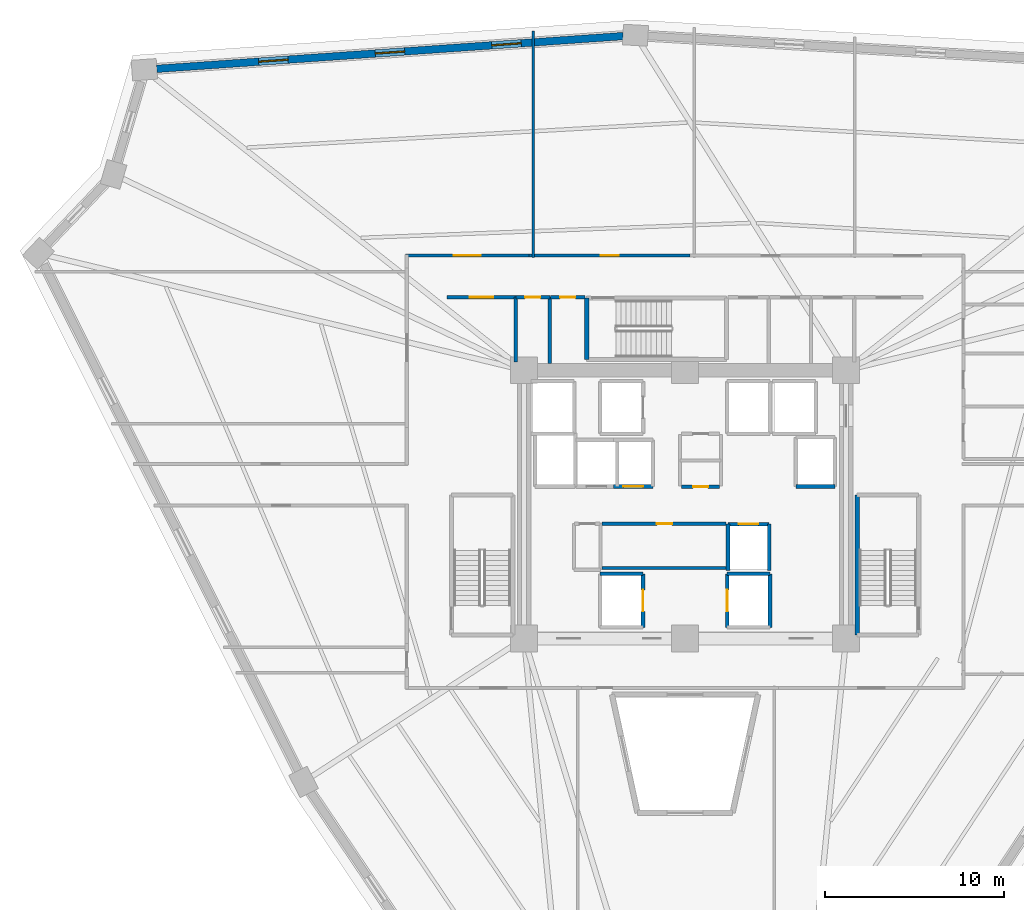
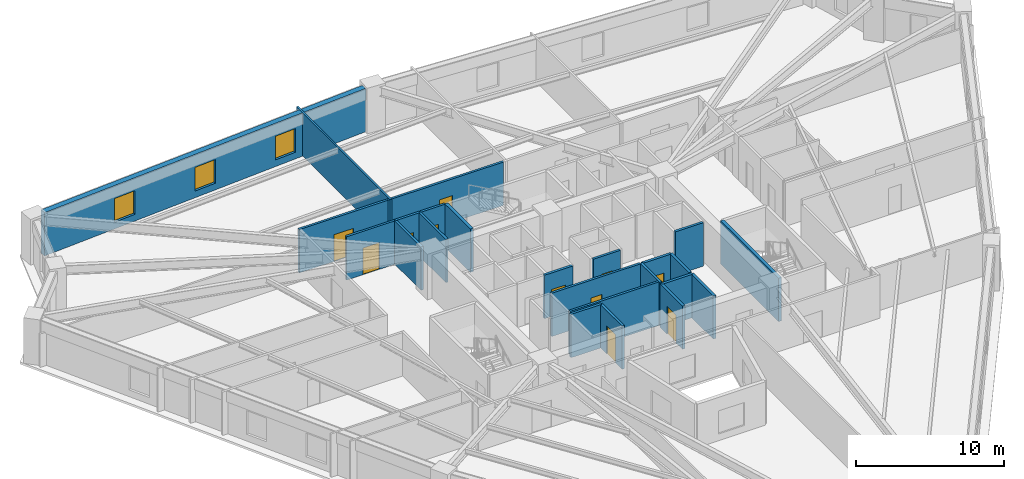
# One storey, part 5 of 9: 24 walls, 11 doors, 3 windows, 14 openings.
"""IFC4 building model written with IfcOpenShell, lengths in metres."""

from ifc_helpers import new_model, si_unit, direction, frame, frame_2d, origin, place, context, subcontext, project, spatial, rectangle, extrude, source, transform, mapped, material, layer, layer_set, type_object, element, fill, save


model = new_model("IFC4")

# Units and contexts
model_context = context("Model", 3, precision=1e-05, world=origin(), true_north=direction((0.0, 1.0)))
body_context = subcontext(model_context, "Body", "Model", "MODEL_VIEW")
ifc_project = project(units=[si_unit("LENGTHUNIT", "METRE"), si_unit("AREAUNIT", "SQUARE_METRE"), si_unit("VOLUMEUNIT", "CUBIC_METRE"), si_unit("PLANEANGLEUNIT", "RADIAN"), si_unit("MASSUNIT", "GRAM", prefix="KILO")], contexts=[model_context])

# Site, building, storey
site_placement = place(None, origin())
site = spatial("IfcSite", under=ifc_project, at=site_placement, CompositionType="ELEMENT")
building_placement = place(site_placement, origin())
building = spatial("IfcBuilding", under=site, at=building_placement, Name="Liaohun Quay Tower", CompositionType="ELEMENT")
storey_placement = place(building_placement, frame((0.0, 0.0, 128.25)))
storey = spatial("IfcBuildingStorey", under=building, at=storey_placement, Name="L33", CompositionType="ELEMENT", Elevation=128.25)

# Wall, openings, windows
ifc_material_1 = material(Name="Precast concrete C50 insulated sandwich", Category="concrete")
ifc_layer_1 = layer(ifc_material_1, 0.419921875, Name="Precast concrete C50 insulated sandwich", Category="concrete")
ifc_layer_set_1 = layer_set([ifc_layer_1], Name="Precast concrete C50 insulated sandwich")
wall_type_1 = type_object("IfcWallType", Name="WAL-EXT-Z12", PredefinedType="SOLIDWALL", material=ifc_layer_set_1)
wall_1_placement = place(storey_placement, frame((56.5380859375, 80.177978515625, 0.0), z_axis=(0.0, 0.0, 1.0), x_axis=(-0.997543510354, -0.070049589226, 0.0)))
wall_1 = element("IfcWall", 1, at=wall_1_placement, inside=storey, type_object=wall_type_1, Name="L33 Brutalist Precast Pier Wall 07", PredefinedType="SOLIDWALL", context=body_context, shape_type="SweptSolid", body=[
    extrude(rectangle(XDim=26.139404296875, YDim=0.419921875, at=frame_2d((13.06982421875, 0.0))), origin(), (0.0, 0.0, 1.0), 3.570068359375),
])
shared_shape_1 = source(origin(), body_context, "Body", "SweptSolid", [
    extrude(rectangle(XDim=1.64990234375, YDim=1.949951171875, at=frame_2d((0.824951171875, 0.97509765625))), frame((0.0, 0.219970703125, 0.0), z_axis=(0.0, -1.0, 0.0), x_axis=(1.0, 0.0, 0.0)), (0.0, 0.0, 1.0), 0.43994140625),
])
opening_1_placement = place(wall_1_placement, frame((5.7099609375, 0.0, 0.550048828125)))
opening_1 = element("IfcOpeningElement", 2, at=opening_1_placement, cuts=wall_1, Name="Opening W02", PredefinedType="OPENING", context=body_context, shape_type="MappedRepresentation", body=[
    mapped(shared_shape_1, transform((0.0, 0.0, 0.0), x_axis=(1.0, 0.0, 0.0), y_axis=(0.0, 1.0, 0.0), z_axis=(0.0, 0.0, 1.0), scale=1.0)),
])
opening_2_placement = place(wall_1_placement, frame((12.2451171875, 0.0, 0.550048828125)))
opening_2 = element("IfcOpeningElement", 3, at=opening_2_placement, cuts=wall_1, Name="Opening W02", PredefinedType="OPENING", context=body_context, shape_type="MappedRepresentation", body=[
    mapped(shared_shape_1, transform((0.0, 0.0, 0.0), x_axis=(1.0, 0.0, 0.0), y_axis=(0.0, 1.0, 0.0), z_axis=(0.0, 0.0, 1.0), scale=1.0)),
])
opening_3_placement = place(wall_1_placement, frame((18.779052734375, 0.0, 0.550048828125)))
opening_3 = element("IfcOpeningElement", 4, at=opening_3_placement, cuts=wall_1, Name="Opening W02", PredefinedType="OPENING", context=body_context, shape_type="MappedRepresentation", body=[
    mapped(shared_shape_1, transform((0.0, 0.0, 0.0), x_axis=(1.0, 0.0, 0.0), y_axis=(0.0, 1.0, 0.0), z_axis=(0.0, 0.0, 1.0), scale=1.0)),
])
ifc_material_2 = material(Name="Triple Low-E argon glazing in thermally broken aluminium", Category="aluminium")
window_type = type_object("IfcWindowType", Name="WIN-PUN-Z2", PartitioningType="DOUBLE_PANEL_VERTICAL", PredefinedType="WINDOW", material=ifc_material_2)
shared_shape_2 = source(origin(), body_context, "Body", "SweptSolid", [
    extrude(rectangle(XDim=1.64990234375, YDim=1.949951171875, at=frame_2d((0.824951171875, 0.97509765625))), frame((0.0, 0.030029296875, 0.0), z_axis=(0.0, -1.0, 0.0), x_axis=(1.0, 0.0, 0.0)), (0.0, 0.0, 1.0), 0.06005859375),
])
window_1_placement = place(opening_1_placement, origin())
window_1 = element("IfcWindow", 5, at=window_1_placement, inside=storey, type_object=window_type, Name="L33 Recessed Cold-Climate Punched Window 07-1", OverallHeight=1.949951171875, OverallWidth=1.64990234375, PartitioningType="DOUBLE_PANEL_VERTICAL", PredefinedType="WINDOW", context=body_context, shape_type="MappedRepresentation", body=[
    mapped(shared_shape_2, transform((0.0, 0.0, 0.0), x_axis=(1.0, 0.0, 0.0), y_axis=(0.0, 1.0, 0.0), z_axis=(0.0, 0.0, 1.0), scale=1.0)),
])
fill(opening_1, window_1)
window_2_placement = place(opening_2_placement, origin())
window_2 = element("IfcWindow", 6, at=window_2_placement, inside=storey, type_object=window_type, Name="L33 Recessed Cold-Climate Punched Window 07-2", OverallHeight=1.949951171875, OverallWidth=1.64990234375, PartitioningType="DOUBLE_PANEL_VERTICAL", PredefinedType="WINDOW", context=body_context, shape_type="MappedRepresentation", body=[
    mapped(shared_shape_2, transform((0.0, 0.0, 0.0), x_axis=(1.0, 0.0, 0.0), y_axis=(0.0, 1.0, 0.0), z_axis=(0.0, 0.0, 1.0), scale=1.0)),
])
fill(opening_2, window_2)
window_3_placement = place(opening_3_placement, origin())
window_3 = element("IfcWindow", 7, at=window_3_placement, inside=storey, type_object=window_type, Name="L33 Recessed Cold-Climate Punched Window 07-3", OverallHeight=1.949951171875, OverallWidth=1.64990234375, PartitioningType="DOUBLE_PANEL_VERTICAL", PredefinedType="WINDOW", context=body_context, shape_type="MappedRepresentation", body=[
    mapped(shared_shape_2, transform((0.0, 0.0, 0.0), x_axis=(1.0, 0.0, 0.0), y_axis=(0.0, 1.0, 0.0), z_axis=(0.0, 0.0, 1.0), scale=1.0)),
])
fill(opening_3, window_3)

# Wall, opening, door
ifc_material_3 = material(Name="Autoclaved aerated concrete blockwork", Category="masonry")
ifc_layer_2 = layer(ifc_material_3, 0.179931640625, Name="Autoclaved aerated concrete blockwork", Category="masonry")
ifc_layer_set_2 = layer_set([ifc_layer_2], Name="Autoclaved aerated concrete blockwork")
wall_type_2 = type_object("IfcWallType", Name="WAL-PRT-COR", PredefinedType="PARTITIONING", material=ifc_layer_set_2)
wall_2_placement = place(storey_placement, frame((55.3701171875, 52.919921875, 0.0), z_axis=(0.0, 0.0, 1.0), x_axis=(1.0, 0.0, 0.0)))
wall_2 = element("IfcWall", 8, at=wall_2_placement, inside=storey, type_object=wall_type_2, Name="L33 Interior Partition Wall 001", PredefinedType="PARTITIONING", context=body_context, shape_type="SweptSolid", body=[
    extrude(rectangle(XDim=6.929931640625, YDim=0.179931640625, at=frame_2d((3.46484375, 0.0))), origin(), (0.0, 0.0, 1.0), 3.570068359375),
])
shared_shape_3 = source(origin(), body_context, "Body", "SweptSolid", [
    extrude(rectangle(XDim=0.85009765625, YDim=2.10009765625, at=frame_2d((0.425048828125, 1.050048828125))), frame((0.0, 0.099853515625, 0.0), z_axis=(0.0, -1.0, 0.0), x_axis=(1.0, 0.0, 0.0)), (0.0, 0.0, 1.0), 0.199951171875),
])
opening_4_placement = place(wall_2_placement, frame((3.054931640625, 0.0, 0.0)))
opening_4 = element("IfcOpeningElement", 9, at=opening_4_placement, cuts=wall_2, Name="Opening AD1", PredefinedType="OPENING", context=body_context, shape_type="MappedRepresentation", body=[
    mapped(shared_shape_3, transform((0.0, 0.0, 0.0), x_axis=(1.0, 0.0, 0.0), y_axis=(0.0, 1.0, 0.0), z_axis=(0.0, 0.0, 1.0), scale=1.0)),
])
ifc_material_4 = material(Name="Steel riser inspection fire door", Category="steel")
door_type_1 = type_object("IfcDoorType", Name="DOR-SHF-850", OperationType="NOTDEFINED", PredefinedType="DOOR", material=ifc_material_4)
shared_shape_4 = source(origin(), body_context, "Body", "SweptSolid", [
    extrude(rectangle(XDim=0.85009765625, YDim=2.10009765625, at=frame_2d((0.425048828125, 1.050048828125))), frame((0.0, 0.02490234375, 0.0), z_axis=(0.0, -1.0, 0.0), x_axis=(1.0, 0.0, 0.0)), (0.0, 0.0, 1.0), 0.050048828125),
])
door_1_placement = place(opening_4_placement, origin())
door_1 = element("IfcDoor", 10, at=door_1_placement, inside=storey, type_object=door_type_1, Name="L33 Core Tenant Storage and Archive Room Door", OperationType="SINGLE_SWING_LEFT", OverallHeight=2.10009765625, OverallWidth=0.85009765625, PredefinedType="DOOR", context=body_context, shape_type="MappedRepresentation", body=[
    mapped(shared_shape_4, transform((0.0, 0.0, 0.0), x_axis=(1.0, 0.0, 0.0), y_axis=(0.0, 1.0, 0.0), z_axis=(0.0, 0.0, 1.0), scale=1.0)),
])
fill(opening_4, door_1)

wall_3_placement = place(storey_placement, frame((59.81005859375, 54.97998046875, 0.0), z_axis=(0.0, 0.0, 1.0), x_axis=(1.0, 0.0, 0.0)))
wall_3 = element("IfcWall", 11, at=wall_3_placement, inside=storey, type_object=wall_type_2, Name="L33 Interior Partition Wall 002", PredefinedType="PARTITIONING", context=body_context, shape_type="SweptSolid", body=[
    extrude(rectangle(XDim=2.10986328125, YDim=0.179931640625, at=frame_2d((1.054931640625, 0.0))), origin(), (0.0, 0.0, 1.0), 3.570068359375),
])
opening_5_placement = place(wall_3_placement, frame((0.635009765625, 0.0, 0.0)))
opening_5 = element("IfcOpeningElement", 12, at=opening_5_placement, cuts=wall_3, Name="Opening AD1", PredefinedType="OPENING", context=body_context, shape_type="MappedRepresentation", body=[
    mapped(shared_shape_3, transform((0.0, 0.0, 0.0), x_axis=(1.0, 0.0, 0.0), y_axis=(0.0, 1.0, 0.0), z_axis=(0.0, 0.0, 1.0), scale=1.0)),
])
door_2_placement = place(opening_5_placement, origin())
door_2 = element("IfcDoor", 13, at=door_2_placement, inside=storey, type_object=door_type_1, Name="L33 Electrical Riser Room Door", OperationType="SINGLE_SWING_RIGHT", OverallHeight=2.10009765625, OverallWidth=0.85009765625, PredefinedType="DOOR", context=body_context, shape_type="MappedRepresentation", body=[
    mapped(shared_shape_4, transform((0.0, 0.0, 0.0), x_axis=(1.0, 0.0, 0.0), y_axis=(0.0, 1.0, 0.0), z_axis=(0.0, 0.0, 1.0), scale=1.0)),
])
fill(opening_5, door_2)

wall_4_placement = place(storey_placement, frame((50.5400390625, 65.580078125, 0.0), z_axis=(0.0, 0.0, 1.0), x_axis=(1.0, 0.0, 0.0)))
wall_4 = element("IfcWall", 14, at=wall_4_placement, inside=storey, type_object=wall_type_2, Name="L33 Interior Partition Wall 008", PredefinedType="PARTITIONING", context=body_context, shape_type="SweptSolid", body=[
    extrude(rectangle(XDim=1.89990234375, YDim=0.179931640625, at=frame_2d((0.949951171875, 0.0))), origin(), (0.0, 0.0, 1.0), 3.570068359375),
])
opening_6_placement = place(wall_4_placement, frame((0.52490234375, 0.0, 0.0)))
opening_6 = element("IfcOpeningElement", 15, at=opening_6_placement, cuts=wall_4, Name="Opening AD1", PredefinedType="OPENING", context=body_context, shape_type="MappedRepresentation", body=[
    mapped(shared_shape_3, transform((0.0, 0.0, 0.0), x_axis=(1.0, 0.0, 0.0), y_axis=(0.0, 1.0, 0.0), z_axis=(0.0, 0.0, 1.0), scale=1.0)),
])
door_3_placement = place(opening_6_placement, origin())
door_3 = element("IfcDoor", 16, at=door_3_placement, inside=storey, type_object=door_type_1, Name="L33 North-West Riser Closet Door", OperationType="SINGLE_SWING_RIGHT", OverallHeight=2.10009765625, OverallWidth=0.85009765625, PredefinedType="DOOR", context=body_context, shape_type="MappedRepresentation", body=[
    mapped(shared_shape_4, transform((0.0, 0.0, 0.0), x_axis=(1.0, 0.0, 0.0), y_axis=(0.0, 1.0, 0.0), z_axis=(0.0, 0.0, 1.0), scale=1.0)),
])
fill(opening_6, door_3)

wall_5_placement = place(storey_placement, frame((52.47998046875, 65.580078125, 0.0), z_axis=(0.0, 0.0, 1.0), x_axis=(1.0, 0.0, 0.0)))
wall_5 = element("IfcWall", 17, at=wall_5_placement, inside=storey, type_object=wall_type_2, Name="L33 Interior Partition Wall 009", PredefinedType="PARTITIONING", context=body_context, shape_type="SweptSolid", body=[
    extrude(rectangle(XDim=1.929931640625, YDim=0.179931640625, at=frame_2d((0.96484375, 0.0))), origin(), (0.0, 0.0, 1.0), 3.570068359375),
])
opening_7_placement = place(wall_5_placement, frame((0.5400390625, 0.0, 0.0)))
opening_7 = element("IfcOpeningElement", 18, at=opening_7_placement, cuts=wall_5, Name="Opening AD1", PredefinedType="OPENING", context=body_context, shape_type="MappedRepresentation", body=[
    mapped(shared_shape_3, transform((0.0, 0.0, 0.0), x_axis=(1.0, 0.0, 0.0), y_axis=(0.0, 1.0, 0.0), z_axis=(0.0, 0.0, 1.0), scale=1.0)),
])
door_4_placement = place(opening_7_placement, origin())
door_4 = element("IfcDoor", 19, at=door_4_placement, inside=storey, type_object=door_type_1, Name="L33 North-West Print Closet Door", OperationType="SINGLE_SWING_LEFT", OverallHeight=2.10009765625, OverallWidth=0.85009765625, PredefinedType="DOOR", context=body_context, shape_type="MappedRepresentation", body=[
    mapped(shared_shape_4, transform((0.0, 0.0, 0.0), x_axis=(1.0, 0.0, 0.0), y_axis=(0.0, 1.0, 0.0), z_axis=(0.0, 0.0, 1.0), scale=1.0)),
])
fill(opening_7, door_4)

wall_6_placement = place(storey_placement, frame((46.699951171875, 65.580078125, 0.0), z_axis=(0.0, 0.0, 1.0), x_axis=(1.0, 0.0, 0.0)))
wall_6 = element("IfcWall", 20, at=wall_6_placement, inside=storey, type_object=wall_type_2, Name="L33 Interior Partition Wall 013", PredefinedType="PARTITIONING", context=body_context, shape_type="SweptSolid", body=[
    extrude(rectangle(XDim=3.840087890625, YDim=0.179931640625, at=frame_2d((1.919921875, 0.0))), origin(), (0.0, 0.0, 1.0), 3.570068359375),
])
shared_shape_5 = source(origin(), body_context, "Body", "SweptSolid", [
    extrude(rectangle(XDim=1.300048828125, YDim=2.199951171875, at=frame_2d((0.64990234375, 1.10009765625))), frame((0.0, 0.099853515625, 0.0), z_axis=(0.0, -1.0, 0.0), x_axis=(1.0, 0.0, 0.0)), (0.0, 0.0, 1.0), 0.199951171875),
])
opening_8_placement = place(wall_6_placement, frame((1.27001953125, 0.0, 0.0)))
opening_8 = element("IfcOpeningElement", 21, at=opening_8_placement, cuts=wall_6, Name="Opening FD1", PredefinedType="OPENING", context=body_context, shape_type="MappedRepresentation", body=[
    mapped(shared_shape_5, transform((0.0, 0.0, 0.0), x_axis=(1.0, 0.0, 0.0), y_axis=(0.0, 1.0, 0.0), z_axis=(0.0, 0.0, 1.0), scale=1.0)),
])
ifc_material_5 = material(Name="Galvanised steel smokeproof fire door", Category="steel")
door_type_2 = type_object("IfcDoorType", Name="DOR-FFL-1300", OperationType="NOTDEFINED", PredefinedType="DOOR", material=ifc_material_5)
shared_shape_6 = source(origin(), body_context, "Body", "SweptSolid", [
    extrude(rectangle(XDim=1.300048828125, YDim=2.199951171875, at=frame_2d((0.64990234375, 1.10009765625))), frame((0.0, 0.02490234375, 0.0), z_axis=(0.0, -1.0, 0.0), x_axis=(1.0, 0.0, 0.0)), (0.0, 0.0, 1.0), 0.050048828125),
])
door_5_placement = place(opening_8_placement, origin())
door_5 = element("IfcDoor", 22, at=door_5_placement, inside=storey, type_object=door_type_2, Name="L33 West Core Vestibule Door", OperationType="SINGLE_SWING_LEFT", OverallHeight=2.199951171875, OverallWidth=1.300048828125, PredefinedType="DOOR", context=body_context, shape_type="MappedRepresentation", body=[
    mapped(shared_shape_6, transform((0.0, 0.0, 0.0), x_axis=(1.0, 0.0, 0.0), y_axis=(0.0, 1.0, 0.0), z_axis=(0.0, 0.0, 1.0), scale=1.0)),
])
fill(opening_8, door_5)

wall_7_placement = place(storey_placement, frame((51.284912109375, 67.909912109375, 0.0), z_axis=(0.0, 0.0, 1.0), x_axis=(1.0, 0.0, 0.0)))
wall_7 = element("IfcWall", 23, at=wall_7_placement, inside=storey, type_object=wall_type_2, Name="L33 Interior Partition Wall 018", PredefinedType="PARTITIONING", context=body_context, shape_type="SweptSolid", body=[
    extrude(rectangle(XDim=9.0, YDim=0.179931640625, at=frame_2d((4.5, 0.0))), origin(), (0.0, 0.0, 1.0), 3.570068359375),
])
shared_shape_7 = source(origin(), body_context, "Body", "SweptSolid", [
    extrude(rectangle(XDim=1.0, YDim=2.199951171875, at=frame_2d((0.5, 1.10009765625))), frame((0.0, 0.099853515625, 0.0), z_axis=(0.0, -1.0, 0.0), x_axis=(1.0, 0.0, 0.0)), (0.0, 0.0, 1.0), 0.199951171875),
])
opening_9_placement = place(wall_7_placement, frame((4.0, 0.0, 0.0)))
opening_9 = element("IfcOpeningElement", 24, at=opening_9_placement, cuts=wall_7, Name="Opening OD1", PredefinedType="OPENING", context=body_context, shape_type="MappedRepresentation", body=[
    mapped(shared_shape_7, transform((0.0, 0.0, 0.0), x_axis=(1.0, 0.0, 0.0), y_axis=(0.0, 1.0, 0.0), z_axis=(0.0, 0.0, 1.0), scale=1.0)),
])
ifc_material_6 = material(Name="Solid-core oak veneer timber leaf in steel frame", Category="steel")
door_type_3 = type_object("IfcDoorType", Name="DOR-OFF-1000", OperationType="NOTDEFINED", PredefinedType="DOOR", material=ifc_material_6)
shared_shape_8 = source(origin(), body_context, "Body", "SweptSolid", [
    extrude(rectangle(XDim=1.0, YDim=2.199951171875, at=frame_2d((0.5, 1.10009765625))), frame((0.0, 0.02490234375, 0.0), z_axis=(0.0, -1.0, 0.0), x_axis=(1.0, 0.0, 0.0)), (0.0, 0.0, 1.0), 0.050048828125),
])
door_6_placement = place(opening_9_placement, origin())
door_6 = element("IfcDoor", 25, at=door_6_placement, inside=storey, type_object=door_type_3, Name="L33 Project Collaboration Studio 04 Door", OperationType="SINGLE_SWING_RIGHT", OverallHeight=2.199951171875, OverallWidth=1.0, PredefinedType="DOOR", context=body_context, shape_type="MappedRepresentation", body=[
    mapped(shared_shape_8, transform((0.0, 0.0, 0.0), x_axis=(1.0, 0.0, 0.0), y_axis=(0.0, 1.0, 0.0), z_axis=(0.0, 0.0, 1.0), scale=1.0)),
])
fill(opening_9, door_6)

wall_8_placement = place(storey_placement, frame((44.3701171875, 67.909912109375, 0.0), z_axis=(0.0, 0.0, 1.0), x_axis=(1.0, 0.0, 0.0)))
wall_8 = element("IfcWall", 26, at=wall_8_placement, inside=storey, type_object=wall_type_2, Name="L33 Interior Partition Wall 019", PredefinedType="PARTITIONING", context=body_context, shape_type="SweptSolid", body=[
    extrude(rectangle(XDim=6.914794921875, YDim=0.179931640625, at=frame_2d((3.45751953125, 0.0))), origin(), (0.0, 0.0, 1.0), 3.570068359375),
])
shared_shape_9 = source(origin(), body_context, "Body", "SweptSolid", [
    extrude(rectangle(XDim=1.5, YDim=2.199951171875, at=frame_2d((0.75, 1.10009765625))), frame((0.0, 0.099853515625, 0.0), z_axis=(0.0, -1.0, 0.0), x_axis=(1.0, 0.0, 0.0)), (0.0, 0.0, 1.0), 0.199951171875),
])
opening_10_placement = place(wall_8_placement, frame((2.70703125, 0.0, 0.0)))
opening_10 = element("IfcOpeningElement", 27, at=opening_10_placement, cuts=wall_8, Name="Opening OD2", PredefinedType="OPENING", context=body_context, shape_type="MappedRepresentation", body=[
    mapped(shared_shape_9, transform((0.0, 0.0, 0.0), x_axis=(1.0, 0.0, 0.0), y_axis=(0.0, 1.0, 0.0), z_axis=(0.0, 0.0, 1.0), scale=1.0)),
])
ifc_material_7 = material(Name="Acoustic oak veneer double door")
door_type_4 = type_object("IfcDoorType", Name="DOR-OFF-1500", OperationType="DOUBLE_DOOR_SINGLE_SWING", PredefinedType="DOOR", material=ifc_material_7)
shared_shape_10 = source(origin(), body_context, "Body", "SweptSolid", [
    extrude(rectangle(XDim=1.5, YDim=2.199951171875, at=frame_2d((0.75, 1.10009765625))), frame((0.0, 0.02490234375, 0.0), z_axis=(0.0, -1.0, 0.0), x_axis=(1.0, 0.0, 0.0)), (0.0, 0.0, 1.0), 0.050048828125),
])
door_7_placement = place(opening_10_placement, origin())
door_7 = element("IfcDoor", 28, at=door_7_placement, inside=storey, type_object=door_type_4, Name="L33 Digital Prototyping Laboratory 05 Door", OperationType="DOUBLE_DOOR_SINGLE_SWING", OverallHeight=2.199951171875, OverallWidth=1.5, PredefinedType="DOOR", context=body_context, shape_type="MappedRepresentation", body=[
    mapped(shared_shape_10, transform((0.0, 0.0, 0.0), x_axis=(1.0, 0.0, 0.0), y_axis=(0.0, 1.0, 0.0), z_axis=(0.0, 0.0, 1.0), scale=1.0)),
])
fill(opening_10, door_7)

# Walls
wall_9_placement = place(storey_placement, frame((50.5400390625, 61.949951171875, 0.0), z_axis=(0.0, 0.0, 1.0), x_axis=(0.0, 1.0, 0.0)))
element("IfcWall", 29, at=wall_9_placement, inside=storey, type_object=wall_type_2, Name="L33 Interior Partition Wall 039", PredefinedType="PARTITIONING", context=body_context, shape_type="SweptSolid", body=[
    extrude(rectangle(XDim=3.630126953125, YDim=0.179931640625, at=frame_2d((1.81494140625, 0.0))), origin(), (0.0, 0.0, 1.0), 3.570068359375),
])
wall_10_placement = place(storey_placement, frame((52.43994140625, 61.875, 0.0), z_axis=(0.0, 0.0, 1.0), x_axis=(0.0, 1.0, 0.0)))
element("IfcWall", 30, at=wall_10_placement, inside=storey, type_object=wall_type_2, Name="L33 Interior Partition Wall 040", PredefinedType="PARTITIONING", context=body_context, shape_type="SweptSolid", body=[
    extrude(rectangle(XDim=3.705078125, YDim=0.179931640625, at=frame_2d((1.8525390625, 0.0))), origin(), (0.0, 0.0, 1.0), 3.570068359375),
])
wall_11_placement = place(storey_placement, frame((55.3701171875, 50.449951171875, 0.0), z_axis=(0.0, 0.0, 1.0), x_axis=(1.0, 0.0, 0.0)))
element("IfcWall", 31, at=wall_11_placement, inside=storey, type_object=wall_type_2, Name="L33 Interior Partition Wall 063", PredefinedType="PARTITIONING", context=body_context, shape_type="SweptSolid", body=[
    extrude(rectangle(XDim=6.929931640625, YDim=0.179931640625, at=frame_2d((3.46484375, 0.0))), origin(), (0.0, 0.0, 1.0), 3.570068359375),
])
ifc_material_8 = material(Name="Gypsum board on twin steel studs", Category="steel")
ifc_layer_3 = layer(ifc_material_8, 0.139892578125, Name="Gypsum board on twin steel studs", Category="steel")
ifc_layer_set_3 = layer_set([ifc_layer_3], Name="Gypsum board on twin steel studs")
wall_type_3 = type_object("IfcWallType", Name="WAL-PRT-OFF", PredefinedType="PARTITIONING", material=ifc_layer_set_3)
wall_12_placement = place(storey_placement, frame((51.5, 67.81005859375, 0.0), z_axis=(0.0, 0.0, 1.0), x_axis=(0.0, 1.0, 0.0)))
element("IfcWall", 32, at=wall_12_placement, inside=storey, type_object=wall_type_3, Name="L33 Interior Partition Wall 058", PredefinedType="PARTITIONING", context=body_context, shape_type="SweptSolid", body=[
    extrude(rectangle(XDim=12.64599609375, YDim=0.139892578125, at=frame_2d((6.322998046875, 0.0))), origin(), (0.0, 0.0, 1.0), 3.570068359375),
])
ifc_material_9 = material(Name="Concrete C50", Category="concrete")
ifc_layer_4 = layer(ifc_material_9, 0.239990234375, Name="Concrete C50", Category="concrete")
ifc_layer_set_4 = layer_set([ifc_layer_4], Name="Concrete C50")
wall_type_4 = type_object("IfcWallType", Name="WAL-SHF-200", PredefinedType="SOLIDWALL", material=ifc_layer_set_4)
wall_13_placement = place(storey_placement, frame((69.6201171875, 54.52001953125, 0.0), z_axis=(0.0, 0.0, 1.0), x_axis=(0.0, -1.0, 0.0)))
element("IfcWall", 33, at=wall_13_placement, inside=storey, type_object=wall_type_4, Name="L33 Stairwell ST-2 Structural Core Wall W", PredefinedType="SOLIDWALL", context=body_context, shape_type="SweptSolid", body=[
    extrude(rectangle(XDim=7.820068359375, YDim=0.239990234375, at=frame_2d((3.91015625, 0.0))), origin(), (0.0, 0.0, 1.0), 3.570068359375),
])
wall_14_placement = place(storey_placement, frame((54.5, 65.5400390625, 0.0), z_axis=(0.0, 0.0, 1.0), x_axis=(0.0, -1.0, 0.0)))
element("IfcWall", 34, at=wall_14_placement, inside=storey, type_object=wall_type_4, Name="L33 Stairwell ST-3 Structural Core Wall W", PredefinedType="SOLIDWALL", context=body_context, shape_type="SweptSolid", body=[
    extrude(rectangle(XDim=3.43994140625, YDim=0.239990234375, at=frame_2d((1.719970703125, 0.0))), origin(), (0.0, 0.0, 1.0), 3.570068359375),
])

# Wall, opening, door
wall_15_placement = place(storey_placement, frame((57.64990234375, 47.1201171875, 0.0), z_axis=(0.0, 0.0, 1.0), x_axis=(0.0, 1.0, 0.0)))
wall_15 = element("IfcWall", 35, at=wall_15_placement, inside=storey, type_object=wall_type_4, Name="L33 Lift FF-01 Hoistway Wall E", PredefinedType="SOLIDWALL", context=body_context, shape_type="SweptSolid", body=[
    extrude(rectangle(XDim=3.0, YDim=0.199951171875, at=frame_2d((1.5, 0.0))), origin(), (0.0, 0.0, 1.0), 3.570068359375),
])
shared_shape_11 = source(origin(), body_context, "Body", "SweptSolid", [
    extrude(rectangle(XDim=1.199951171875, YDim=2.300048828125, at=frame_2d((0.60009765625, 1.14990234375))), frame((0.0, 0.10986328125, 0.0), z_axis=(0.0, -1.0, 0.0), x_axis=(1.0, 0.0, 0.0)), (0.0, 0.0, 1.0), 0.219970703125),
])
opening_11_placement = place(wall_15_placement, frame((0.89990234375, 0.0, 0.0)))
opening_11 = element("IfcOpeningElement", 36, at=opening_11_placement, cuts=wall_15, Name="Opening LD2", PredefinedType="OPENING", context=body_context, shape_type="MappedRepresentation", body=[
    mapped(shared_shape_11, transform((0.0, 0.0, 0.0), x_axis=(1.0, 0.0, 0.0), y_axis=(0.0, 1.0, 0.0), z_axis=(0.0, 0.0, 1.0), scale=1.0)),
])
ifc_material_10 = material(Name="Brushed stainless steel stretcher landing door", Category="steel")
door_type_5 = type_object("IfcDoorType", Name="DOR-LFT-1200", OperationType="SLIDING_TO_LEFT", PredefinedType="DOOR", material=ifc_material_10)
shared_shape_12 = source(origin(), body_context, "Body", "SweptSolid", [
    extrude(rectangle(XDim=1.199951171875, YDim=2.300048828125, at=frame_2d((0.60009765625, 1.14990234375))), frame((0.0, 0.02490234375, 0.0), z_axis=(0.0, -1.0, 0.0), x_axis=(1.0, 0.0, 0.0)), (0.0, 0.0, 1.0), 0.050048828125),
])
door_8_placement = place(opening_11_placement, origin())
door_8 = element("IfcDoor", 37, at=door_8_placement, inside=storey, type_object=door_type_5, Name="L33 Lift FF-01 Sliding Landing Door", OperationType="SLIDING_TO_LEFT", OverallHeight=2.300048828125, OverallWidth=1.199951171875, PredefinedType="DOOR", context=body_context, shape_type="MappedRepresentation", body=[
    mapped(shared_shape_12, transform((0.0, 0.0, 0.0), x_axis=(1.0, 0.0, 0.0), y_axis=(0.0, 1.0, 0.0), z_axis=(0.0, 0.0, 1.0), scale=1.0)),
])
fill(opening_11, door_8)

# Walls
wall_16_placement = place(storey_placement, frame((57.64990234375, 50.1201171875, 0.0), z_axis=(0.0, 0.0, 1.0), x_axis=(-1.0, 0.0, 0.0)))
element("IfcWall", 38, at=wall_16_placement, inside=storey, type_object=wall_type_4, Name="L33 Lift FF-01 Hoistway Wall N", PredefinedType="SOLIDWALL", context=body_context, shape_type="SweptSolid", body=[
    extrude(rectangle(XDim=2.39990234375, YDim=0.199951171875, at=frame_2d((1.199951171875, 0.0))), origin(), (0.0, 0.0, 1.0), 3.570068359375),
])
wall_17_placement = place(storey_placement, frame((64.75, 47.1201171875, 0.0), z_axis=(0.0, 0.0, 1.0), x_axis=(0.0, 1.0, 0.0)))
element("IfcWall", 39, at=wall_17_placement, inside=storey, type_object=wall_type_4, Name="L33 Lift FF-02 Hoistway Wall E", PredefinedType="SOLIDWALL", context=body_context, shape_type="SweptSolid", body=[
    extrude(rectangle(XDim=3.0, YDim=0.199951171875, at=frame_2d((1.5, 0.0))), origin(), (0.0, 0.0, 1.0), 3.570068359375),
])
wall_18_placement = place(storey_placement, frame((64.75, 50.1201171875, 0.0), z_axis=(0.0, 0.0, 1.0), x_axis=(-1.0, 0.0, 0.0)))
element("IfcWall", 40, at=wall_18_placement, inside=storey, type_object=wall_type_4, Name="L33 Lift FF-02 Hoistway Wall N", PredefinedType="SOLIDWALL", context=body_context, shape_type="SweptSolid", body=[
    extrude(rectangle(XDim=2.39990234375, YDim=0.199951171875, at=frame_2d((1.199951171875, 0.0))), origin(), (0.0, 0.0, 1.0), 3.570068359375),
])

# Wall, opening, door
wall_19_placement = place(storey_placement, frame((62.35009765625, 50.1201171875, 0.0), z_axis=(0.0, 0.0, 1.0), x_axis=(0.0, -1.0, 0.0)))
wall_19 = element("IfcWall", 41, at=wall_19_placement, inside=storey, type_object=wall_type_4, Name="L33 Lift FF-02 Hoistway Wall W", PredefinedType="SOLIDWALL", context=body_context, shape_type="SweptSolid", body=[
    extrude(rectangle(XDim=3.0, YDim=0.199951171875, at=frame_2d((1.5, 0.0))), origin(), (0.0, 0.0, 1.0), 3.570068359375),
])
opening_12_placement = place(wall_19_placement, frame((0.89990234375, 0.0, 0.0)))
opening_12 = element("IfcOpeningElement", 42, at=opening_12_placement, cuts=wall_19, Name="Opening LD2", PredefinedType="OPENING", context=body_context, shape_type="MappedRepresentation", body=[
    mapped(shared_shape_11, transform((0.0, 0.0, 0.0), x_axis=(1.0, 0.0, 0.0), y_axis=(0.0, 1.0, 0.0), z_axis=(0.0, 0.0, 1.0), scale=1.0)),
])
door_9_placement = place(opening_12_placement, origin())
door_9 = element("IfcDoor", 43, at=door_9_placement, inside=storey, type_object=door_type_5, Name="L33 Lift FF-02 Sliding Landing Door", OperationType="SLIDING_TO_LEFT", OverallHeight=2.300048828125, OverallWidth=1.199951171875, PredefinedType="DOOR", context=body_context, shape_type="MappedRepresentation", body=[
    mapped(shared_shape_12, transform((0.0, 0.0, 0.0), x_axis=(1.0, 0.0, 0.0), y_axis=(0.0, 1.0, 0.0), z_axis=(0.0, 0.0, 1.0), scale=1.0)),
])
fill(opening_12, door_9)

# Walls
wall_20_placement = place(storey_placement, frame((66.199951171875, 55.0, 0.0), z_axis=(0.0, 0.0, 1.0), x_axis=(1.0, 0.0, 0.0)))
element("IfcWall", 44, at=wall_20_placement, inside=storey, type_object=wall_type_4, Name="L33 Lift SH-03 Hoistway Wall S", PredefinedType="SOLIDWALL", context=body_context, shape_type="SweptSolid", body=[
    extrude(rectangle(XDim=2.179931640625, YDim=0.199951171875, at=frame_2d((1.08984375, 0.0))), origin(), (0.0, 0.0, 1.0), 3.570068359375),
])
wall_21_placement = place(storey_placement, frame((64.699951171875, 50.300048828125, 0.0), z_axis=(0.0, 0.0, 1.0), x_axis=(0.0, 1.0, 0.0)))
element("IfcWall", 45, at=wall_21_placement, inside=storey, type_object=wall_type_4, Name="L33 Lift PL-2A Hoistway Wall E", PredefinedType="SOLIDWALL", context=body_context, shape_type="SweptSolid", body=[
    extrude(rectangle(XDim=2.599853515625, YDim=0.199951171875, at=frame_2d((1.2998046875, 0.0))), origin(), (0.0, 0.0, 1.0), 3.570068359375),
])

# Wall, opening, door
wall_22_placement = place(storey_placement, frame((64.699951171875, 52.89990234375, 0.0), z_axis=(0.0, 0.0, 1.0), x_axis=(-1.0, 0.0, 0.0)))
wall_22 = element("IfcWall", 46, at=wall_22_placement, inside=storey, type_object=wall_type_4, Name="L33 Lift PL-2A Hoistway Wall N", PredefinedType="SOLIDWALL", context=body_context, shape_type="SweptSolid", body=[
    extrude(rectangle(XDim=2.300048828125, YDim=0.199951171875, at=frame_2d((1.14990234375, 0.0))), origin(), (0.0, 0.0, 1.0), 3.570068359375),
])
shared_shape_13 = source(origin(), body_context, "Body", "SweptSolid", [
    extrude(rectangle(XDim=1.10009765625, YDim=2.199951171875, at=frame_2d((0.550048828125, 1.10009765625))), frame((0.0, 0.10986328125, 0.0), z_axis=(0.0, -1.0, 0.0), x_axis=(1.0, 0.0, 0.0)), (0.0, 0.0, 1.0), 0.219970703125),
])
opening_13_placement = place(wall_22_placement, frame((0.60009765625, 0.0, 0.0)))
opening_13 = element("IfcOpeningElement", 47, at=opening_13_placement, cuts=wall_22, Name="Opening LD1", PredefinedType="OPENING", context=body_context, shape_type="MappedRepresentation", body=[
    mapped(shared_shape_13, transform((0.0, 0.0, 0.0), x_axis=(1.0, 0.0, 0.0), y_axis=(0.0, 1.0, 0.0), z_axis=(0.0, 0.0, 1.0), scale=1.0)),
])
ifc_material_11 = material(Name="Brushed stainless steel landing door", Category="steel")
door_type_6 = type_object("IfcDoorType", Name="DOR-LFT-1100", OperationType="SLIDING_TO_LEFT", PredefinedType="DOOR", material=ifc_material_11)
shared_shape_14 = source(origin(), body_context, "Body", "SweptSolid", [
    extrude(rectangle(XDim=1.10009765625, YDim=2.199951171875, at=frame_2d((0.550048828125, 1.10009765625))), frame((0.0, 0.02490234375, 0.0), z_axis=(0.0, -1.0, 0.0), x_axis=(1.0, 0.0, 0.0)), (0.0, 0.0, 1.0), 0.050048828125),
])
door_10_placement = place(opening_13_placement, origin())
door_10 = element("IfcDoor", 48, at=door_10_placement, inside=storey, type_object=door_type_6, Name="L33 Lift PL-2A Sliding Landing Door", OperationType="SLIDING_TO_LEFT", OverallHeight=2.199951171875, OverallWidth=1.10009765625, PredefinedType="DOOR", context=body_context, shape_type="MappedRepresentation", body=[
    mapped(shared_shape_14, transform((0.0, 0.0, 0.0), x_axis=(1.0, 0.0, 0.0), y_axis=(0.0, 1.0, 0.0), z_axis=(0.0, 0.0, 1.0), scale=1.0)),
])
fill(opening_13, door_10)

# Wall
wall_23_placement = place(storey_placement, frame((62.39990234375, 52.89990234375, 0.0), z_axis=(0.0, 0.0, 1.0), x_axis=(0.0, -1.0, 0.0)))
element("IfcWall", 49, at=wall_23_placement, inside=storey, type_object=wall_type_4, Name="L33 Lift PL-2A Hoistway Wall W", PredefinedType="SOLIDWALL", context=body_context, shape_type="SweptSolid", body=[
    extrude(rectangle(XDim=2.599853515625, YDim=0.199951171875, at=frame_2d((1.2998046875, 0.0))), origin(), (0.0, 0.0, 1.0), 3.570068359375),
])

# Wall, opening, door
wall_24_placement = place(storey_placement, frame((56.0, 55.0, 0.0), z_axis=(0.0, 0.0, 1.0), x_axis=(1.0, 0.0, 0.0)))
wall_24 = element("IfcWall", 50, at=wall_24_placement, inside=storey, type_object=wall_type_4, Name="L33 Lift PL-2C Hoistway Wall S", PredefinedType="SOLIDWALL", context=body_context, shape_type="SweptSolid", body=[
    extrude(rectangle(XDim=2.199951171875, YDim=0.199951171875, at=frame_2d((1.10009765625, 0.0))), origin(), (0.0, 0.0, 1.0), 3.570068359375),
])
opening_14_placement = place(wall_24_placement, frame((0.550048828125, 0.0, 0.0)))
opening_14 = element("IfcOpeningElement", 51, at=opening_14_placement, cuts=wall_24, Name="Opening LD1", PredefinedType="OPENING", context=body_context, shape_type="MappedRepresentation", body=[
    mapped(shared_shape_13, transform((0.0, 0.0, 0.0), x_axis=(1.0, 0.0, 0.0), y_axis=(0.0, 1.0, 0.0), z_axis=(0.0, 0.0, 1.0), scale=1.0)),
])
door_11_placement = place(opening_14_placement, origin())
door_11 = element("IfcDoor", 52, at=door_11_placement, inside=storey, type_object=door_type_6, Name="L33 Lift PL-2C Sliding Landing Door", OperationType="SLIDING_TO_LEFT", OverallHeight=2.199951171875, OverallWidth=1.10009765625, PredefinedType="DOOR", context=body_context, shape_type="MappedRepresentation", body=[
    mapped(shared_shape_14, transform((0.0, 0.0, 0.0), x_axis=(1.0, 0.0, 0.0), y_axis=(0.0, 1.0, 0.0), z_axis=(0.0, 0.0, 1.0), scale=1.0)),
])
fill(opening_14, door_11)

save(model, "model.ifc")
